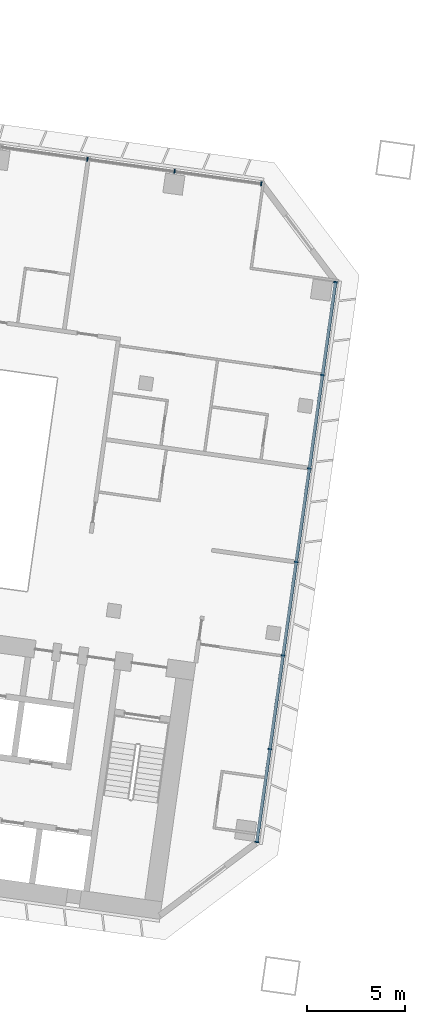
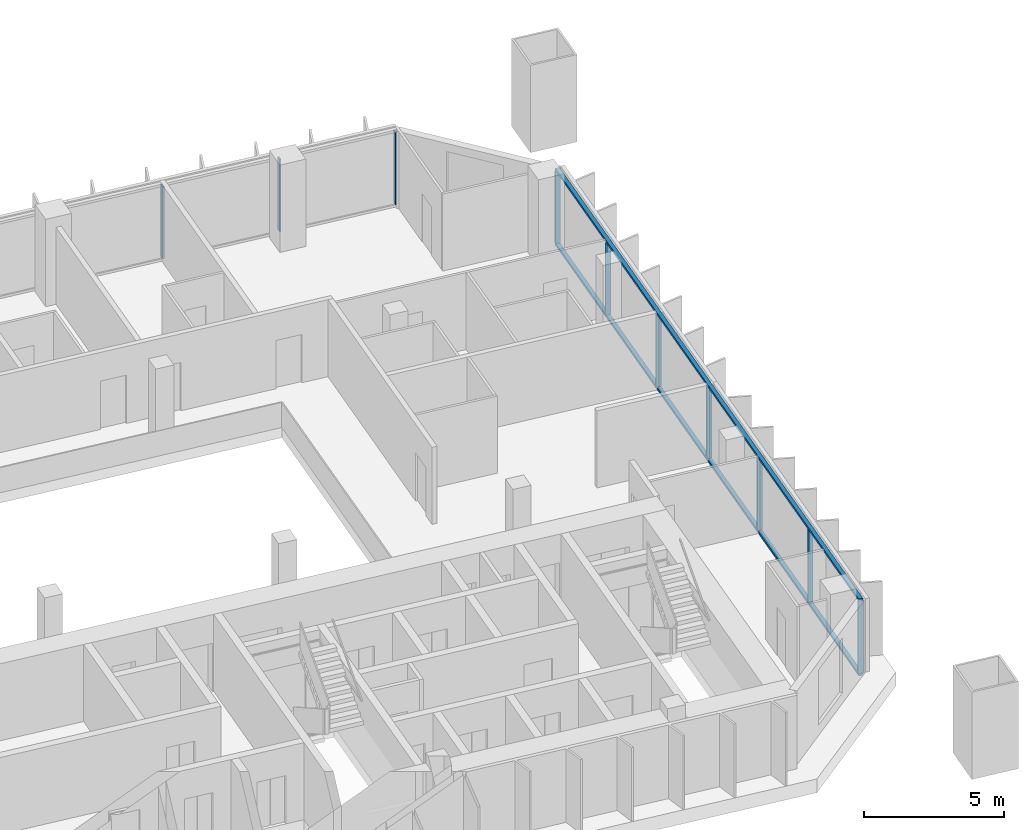
# One storey, part 6 of 24: 12 members, 2 elements without a shape of their own.
"""IFC4 building model written with IfcOpenShell, lengths in metres."""

from ifc_helpers import new_model, si_unit, direction, frame, origin, origin_2d, place, context, subcontext, project, spatial, rectangle, extrude, material, material_profile, profile_set, type_object, element, aggregate, save


model = new_model("IFC4")

# Units and contexts
model_context = context("Model", 3, precision=1e-05, world=origin(), true_north=direction((0.0, 1.0)))
body_context = subcontext(model_context, "Body", "Model", "MODEL_VIEW")
ifc_project = project(units=[si_unit("LENGTHUNIT", "METRE"), si_unit("AREAUNIT", "SQUARE_METRE"), si_unit("VOLUMEUNIT", "CUBIC_METRE"), si_unit("PLANEANGLEUNIT", "RADIAN"), si_unit("MASSUNIT", "GRAM", prefix="KILO")], contexts=[model_context])

# Site, building, storey
site_placement = place(None, origin())
site = spatial("IfcSite", under=ifc_project, at=site_placement, CompositionType="ELEMENT")
building_placement = place(site_placement, origin())
building = spatial("IfcBuilding", under=site, at=building_placement, Name="Mirante Cascada Hotel Towers", CompositionType="ELEMENT")
storey_placement = place(building_placement, frame((0.0, 0.0, 43.3)))
storey = spatial("IfcBuildingStorey", under=building, at=storey_placement, Name="L07", CompositionType="ELEMENT", Elevation=43.3)

# Curtain wall, members
ifc_material_1 = material(Name="Aluminium mullion and transom frame with clear laminated glass", Category="aluminium")
curtain_wall_type_1 = type_object("IfcCurtainWallType", Name="Ribbon curtain wall ECW1", PredefinedType="NOTDEFINED", material=ifc_material_1)
curtain_wall_1_placement = place(storey_placement, origin())
curtain_wall_1 = element("IfcCurtainWall", 1, at=curtain_wall_1_placement, inside=storey, type_object=curtain_wall_type_1, Name="Front ribbon wall T1 L07", PredefinedType="NOTDEFINED")
ifc_material_2 = material(Name="Anodised aluminium extrusion", Category="aluminium")
ifc_material_profile_1 = material_profile(ifc_material_2, rectangle(XDim=0.2, YDim=0.065, at=origin_2d()), Name="ECW1 MULLION 65x200")
ifc_profile_set_1 = profile_set([ifc_material_profile_1], Name="Anodised aluminium extrusion")
member_type_1 = type_object("IfcMemberType", Name="ECW1 mullion 65x200", PredefinedType="MULLION", material=ifc_profile_set_1)
member_1_placement = place(storey_placement, frame((-40.7892, 18.5516, 0.1), z_axis=(0.0, 0.0, 1.0), x_axis=(0.1391731, 0.9902681, 0.0)))
member_1 = element("IfcMember", 2, at=member_1_placement, type_object=member_type_1, Name="ECW1 mullion 13", PredefinedType="MULLION", context=body_context, shape_type="SweptSolid", body=[
    extrude(rectangle(XDim=0.2, YDim=0.065, at=origin_2d()), origin(), (0.0, 0.0, 1.0), 3.15),
])
member_2_placement = place(storey_placement, frame((-36.3417, 17.9265, 0.1), z_axis=(0.0, 0.0, 1.0), x_axis=(0.1391731, 0.9902681, 0.0)))
member_2 = element("IfcMember", 3, at=member_2_placement, type_object=member_type_1, Name="ECW1 mullion 14", PredefinedType="MULLION", context=body_context, shape_type="SweptSolid", body=[
    extrude(rectangle(XDim=0.2, YDim=0.065, at=origin_2d()), origin(), (0.0, 0.0, 1.0), 3.15),
])
member_3_placement = place(storey_placement, frame((-31.9265, 17.306, 0.1), z_axis=(0.0, 0.0, 1.0), x_axis=(0.1391731, 0.9902681, 0.0)))
member_3 = element("IfcMember", 4, at=member_3_placement, type_object=member_type_1, Name="ECW1 mullion 15", PredefinedType="MULLION", context=body_context, shape_type="SweptSolid", body=[
    extrude(rectangle(XDim=0.2, YDim=0.065, at=origin_2d()), origin(), (0.0, 0.0, 1.0), 3.15),
])
aggregate(curtain_wall_1, [member_1, member_2, member_3])

ifc_material_3 = material(Name="Aluminium mullion and transom frame with clear laminated glass", Category="aluminium")
curtain_wall_type_2 = type_object("IfcCurtainWallType", Name="End ribbon curtain wall ECW2", PredefinedType="NOTDEFINED", material=ifc_material_3)
curtain_wall_2_placement = place(storey_placement, origin())
curtain_wall_2 = element("IfcCurtainWall", 5, at=curtain_wall_2_placement, inside=storey, type_object=curtain_wall_type_2, Name="Inner end wall T1 L07", PredefinedType="NOTDEFINED")
ifc_material_4 = material(Name="Anodised aluminium extrusion", Category="aluminium")
ifc_material_profile_2 = material_profile(ifc_material_4, rectangle(XDim=0.2, YDim=0.065, at=origin_2d()), Name="ECW2 MULLION 65x200")
ifc_profile_set_2 = profile_set([ifc_material_profile_2], Name="Anodised aluminium extrusion")
member_type_2 = type_object("IfcMemberType", Name="ECW2 mullion 65x200", PredefinedType="MULLION", material=ifc_profile_set_2)
member_4_placement = place(storey_placement, frame((-28.1437, 12.2861, 0.1), z_axis=(0.0, 0.0, 1.0), x_axis=(0.9902681, -0.1391731, 0.0)))
member_4 = element("IfcMember", 6, at=member_4_placement, type_object=member_type_2, Name="ECW2 mullion 1", PredefinedType="MULLION", context=body_context, shape_type="SweptSolid", body=[
    extrude(rectangle(XDim=0.2, YDim=0.065, at=origin_2d()), origin(), (0.0, 0.0, 1.0), 3.15),
])
member_5_placement = place(storey_placement, frame((-28.809, 7.5524, 0.1), z_axis=(0.0, 0.0, 1.0), x_axis=(0.9902681, -0.1391731, 0.0)))
member_5 = element("IfcMember", 7, at=member_5_placement, type_object=member_type_2, Name="ECW2 mullion 2", PredefinedType="MULLION", context=body_context, shape_type="SweptSolid", body=[
    extrude(rectangle(XDim=0.2, YDim=0.065, at=origin_2d()), origin(), (0.0, 0.0, 1.0), 3.15),
])
member_6_placement = place(storey_placement, frame((-29.4788, 2.7867, 0.1), z_axis=(0.0, 0.0, 1.0), x_axis=(0.9902681, -0.1391731, 0.0)))
member_6 = element("IfcMember", 8, at=member_6_placement, type_object=member_type_2, Name="ECW2 mullion 3", PredefinedType="MULLION", context=body_context, shape_type="SweptSolid", body=[
    extrude(rectangle(XDim=0.2, YDim=0.065, at=origin_2d()), origin(), (0.0, 0.0, 1.0), 3.15),
])
member_7_placement = place(storey_placement, frame((-30.1485, -1.9791, 0.1), z_axis=(0.0, 0.0, 1.0), x_axis=(0.9902681, -0.1391731, 0.0)))
member_7 = element("IfcMember", 9, at=member_7_placement, type_object=member_type_2, Name="ECW2 mullion 4", PredefinedType="MULLION", context=body_context, shape_type="SweptSolid", body=[
    extrude(rectangle(XDim=0.2, YDim=0.065, at=origin_2d()), origin(), (0.0, 0.0, 1.0), 3.15),
])
member_8_placement = place(storey_placement, frame((-30.8183, -6.7449, 0.1), z_axis=(0.0, 0.0, 1.0), x_axis=(0.9902681, -0.1391731, 0.0)))
member_8 = element("IfcMember", 10, at=member_8_placement, type_object=member_type_2, Name="ECW2 mullion 5", PredefinedType="MULLION", context=body_context, shape_type="SweptSolid", body=[
    extrude(rectangle(XDim=0.2, YDim=0.065, at=origin_2d()), origin(), (0.0, 0.0, 1.0), 3.15),
])
member_9_placement = place(storey_placement, frame((-31.4881, -11.5107, 0.1), z_axis=(0.0, 0.0, 1.0), x_axis=(0.9902681, -0.1391731, 0.0)))
member_9 = element("IfcMember", 11, at=member_9_placement, type_object=member_type_2, Name="ECW2 mullion 6", PredefinedType="MULLION", context=body_context, shape_type="SweptSolid", body=[
    extrude(rectangle(XDim=0.2, YDim=0.065, at=origin_2d()), origin(), (0.0, 0.0, 1.0), 3.15),
])
member_10_placement = place(storey_placement, frame((-32.1534, -16.2443, 0.1), z_axis=(0.0, 0.0, 1.0), x_axis=(0.9902681, -0.1391731, 0.0)))
member_10 = element("IfcMember", 12, at=member_10_placement, type_object=member_type_2, Name="ECW2 mullion 7", PredefinedType="MULLION", context=body_context, shape_type="SweptSolid", body=[
    extrude(rectangle(XDim=0.2, YDim=0.065, at=origin_2d()), origin(), (0.0, 0.0, 1.0), 3.15),
])
ifc_material_5 = material(Name="Anodised aluminium extrusion", Category="aluminium")
ifc_material_profile_3 = material_profile(ifc_material_5, rectangle(XDim=0.16, YDim=0.1, at=origin_2d()), Name="ECW2 TRANSOM 100x160")
ifc_profile_set_3 = profile_set([ifc_material_profile_3], Name="Anodised aluminium extrusion")
member_type_3 = type_object("IfcMemberType", Name="ECW2 transom 100x160", PredefinedType="USERDEFINED", material=ifc_profile_set_3)
member_11_placement = place(storey_placement, frame((-28.1392, 12.3182, 0.05), z_axis=(-0.1391723, -0.9902682, 0.0), x_axis=(0.9902682, -0.1391723, 0.0)))
member_11 = element("IfcMember", 13, at=member_11_placement, type_object=member_type_3, Name="ECW2 sill transom", ObjectType="TRANSOM", PredefinedType="USERDEFINED", context=body_context, shape_type="SweptSolid", body=[
    extrude(rectangle(XDim=0.16, YDim=0.1, at=origin_2d()), origin(), (0.0, 0.0, 1.0), 28.8757),
])
member_12_placement = place(storey_placement, frame((-28.1392, 12.3182, 3.3), z_axis=(-0.1391723, -0.9902682, 0.0), x_axis=(0.9902682, -0.1391723, 0.0)))
member_12 = element("IfcMember", 14, at=member_12_placement, type_object=member_type_3, Name="ECW2 head transom", ObjectType="TRANSOM", PredefinedType="USERDEFINED", context=body_context, shape_type="SweptSolid", body=[
    extrude(rectangle(XDim=0.16, YDim=0.1, at=origin_2d()), origin(), (0.0, 0.0, 1.0), 28.8757),
])
aggregate(curtain_wall_2, [member_11, member_12, member_4, member_5, member_6, member_7, member_8, member_9, member_10])

save(model, "model.ifc")
